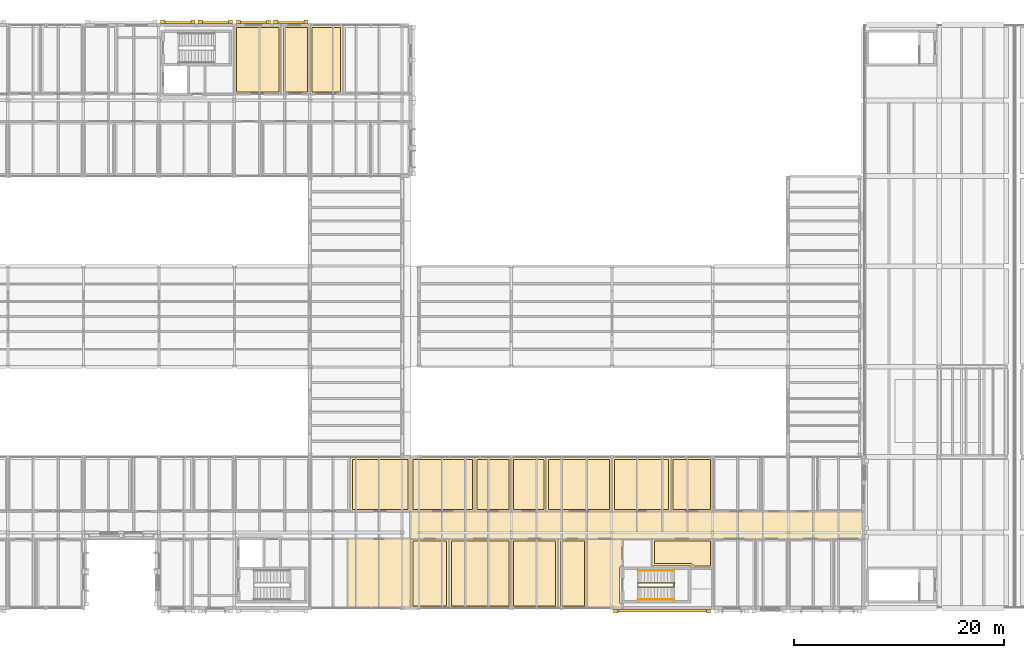
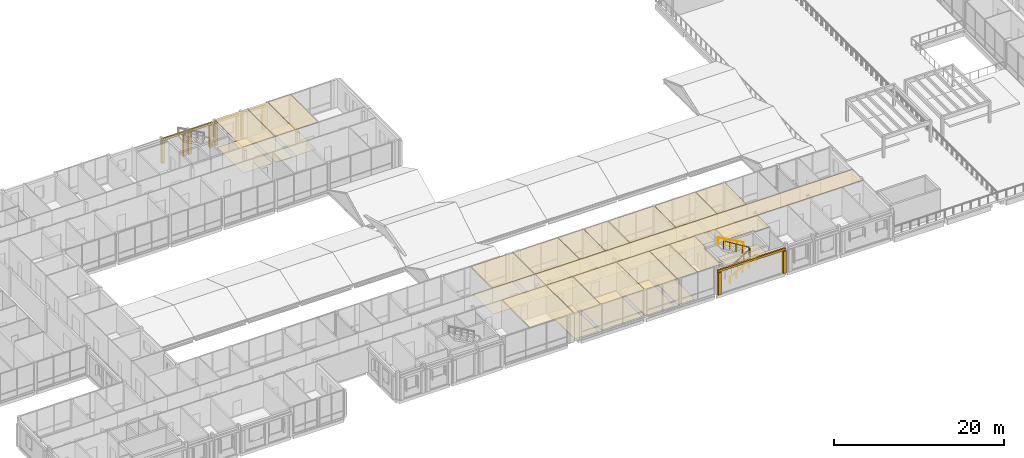
# One storey, part 109 of 115: 48 coverings, 3 railings.
"""IFC4 building model written with IfcOpenShell, lengths in metres."""

from ifc_helpers import new_model, si_unit, direction, frame, origin, origin_2d, place, context, subcontext, project, spatial, polyline, rectangle, circle, outline, extrude, material, layer, layer_set, type_object, element, save


model = new_model("IFC4")

# Units and contexts
model_context = context("Model", 3, precision=1e-05, world=origin(), true_north=direction((0.0, 1.0)))
body_context = subcontext(model_context, "Body", "Model", "MODEL_VIEW")
ifc_project = project(units=[si_unit("LENGTHUNIT", "METRE"), si_unit("AREAUNIT", "SQUARE_METRE"), si_unit("VOLUMEUNIT", "CUBIC_METRE"), si_unit("PLANEANGLEUNIT", "RADIAN"), si_unit("MASSUNIT", "GRAM", prefix="KILO")], contexts=[model_context])

# Site, building, storey
site_placement = place(None, origin())
site = spatial("IfcSite", under=ifc_project, at=site_placement, CompositionType="ELEMENT")
building_placement = place(site_placement, origin())
building = spatial("IfcBuilding", under=site, at=building_placement, Name="Hawrajan Terrace Health Centre", CompositionType="ELEMENT")
storey_placement = place(building_placement, frame((0.0, 0.0, 9.0)))
storey = spatial("IfcBuildingStorey", under=building, at=storey_placement, Name="L02", CompositionType="ELEMENT", Elevation=9.0)

# Coverings
ifc_material_1 = material(Name="Precast concrete C40/50", Category="concrete")
ifc_layer_1 = layer(ifc_material_1, 0.219970703125)
ifc_layer_set_1 = layer_set([ifc_layer_1], Name="Precast concrete C40/50")
covering_type_1 = type_object("IfcCoveringType", Name="ArtDecoCorniceBand", PredefinedType="CLADDING", material=ifc_layer_set_1)
covering_1_placement = place(storey_placement, frame((49.610107421875, 60.044921875, 3.22021484375), z_axis=(0.0, 0.0, 1.0), x_axis=(1.0, 0.0, 0.0)))
element("IfcCovering", 1, at=covering_1_placement, inside=storey, type_object=covering_type_1, Name="Art Deco limestone cornice band CRN-L02-0132", PredefinedType="CLADDING", context=body_context, shape_type="SweptSolid", body=[
    extrude(rectangle(XDim=3.300048828125, YDim=0.219970703125, at=origin_2d()), origin(), (0.0, 0.0, 1.0), 0.300048828125),
])
for number, where, z_axis, x_axis, name in (
    (2, (53.179931640625, 60.044921875, 3.22021484375), (0.0, 0.0, 1.0), (1.0, 0.0, 0.0), "Art Deco limestone cornice band CRN-L02-0133"),
    (3, (56.820068359375, 60.044921875, 3.2099609375), (0.0, 0.0, 1.0), (1.0, 0.0, 0.0), "Art Deco limestone cornice band CRN-L02-0136"),
):
    element("IfcCovering", number, at=place(storey_placement, frame(where, z_axis=z_axis, x_axis=x_axis)), inside=storey, type_object=covering_type_1, Name=name, PredefinedType="CLADDING", context=body_context, shape_type="SweptSolid", body=[
        extrude(rectangle(XDim=3.280029296875, YDim=0.219970703125, at=origin_2d()), origin(), (0.0, 0.0, 1.0), 0.300048828125),
    ])
covering_2_placement = place(storey_placement, frame((60.389892578125, 60.044921875, 3.2099609375), z_axis=(0.0, 0.0, 1.0), x_axis=(1.0, 0.0, 0.0)))
element("IfcCovering", 4, at=covering_2_placement, inside=storey, type_object=covering_type_1, Name="Art Deco limestone cornice band CRN-L02-0137", PredefinedType="CLADDING", context=body_context, shape_type="SweptSolid", body=[
    extrude(rectangle(XDim=3.300048828125, YDim=0.219970703125, at=origin_2d()), origin(), (0.0, 0.0, 1.0), 0.300048828125),
])
covering_3_placement = place(storey_placement, frame((95.7900390625, 3.955078125, 3.22021484375), z_axis=(0.0, 0.0, 1.0), x_axis=(1.0, 0.0, 0.0)))
element("IfcCovering", 5, at=covering_3_placement, inside=storey, type_object=covering_type_1, Name="Art Deco limestone cornice band CRN-L02-0140", PredefinedType="CLADDING", context=body_context, shape_type="SweptSolid", body=[
    extrude(rectangle(XDim=9.260009765625, YDim=0.219970703125, at=origin_2d()), origin(), (0.0, 0.0, 1.0), 0.300048828125),
])
ifc_layer_2 = layer(ifc_material_1, 0.340087890625)
ifc_layer_set_2 = layer_set([ifc_layer_2], Name="Precast concrete C40/50")
covering_type_2 = type_object("IfcCoveringType", Name="ArtDecoStonePilaster", PredefinedType="CLADDING", material=ifc_layer_set_2)
for number, where, z_axis, x_axis, name in (
    (6, (48.159912109375, 60.10498046875, 0.0), (0.0, 0.0, 1.0), (1.0, 0.0, 0.0), "Art Deco fluted limestone pilaster FPIL-L02-0252"),
    (7, (51.06005859375, 60.10498046875, 0.0), (0.0, 0.0, 1.0), (1.0, 0.0, 0.0), "Art Deco fluted limestone pilaster FPIL-L02-0253"),
    (8, (51.739990234375, 60.10498046875, 0.0), (0.0, 0.0, 1.0), (1.0, 0.0, 0.0), "Art Deco fluted limestone pilaster FPIL-L02-0254"),
    (9, (54.6201171875, 60.10498046875, 0.0), (0.0, 0.0, 1.0), (1.0, 0.0, 0.0), "Art Deco fluted limestone pilaster FPIL-L02-0255"),
):
    element("IfcCovering", number, at=place(storey_placement, frame(where, z_axis=z_axis, x_axis=x_axis)), inside=storey, type_object=covering_type_2, Name=name, PredefinedType="CLADDING", context=body_context, shape_type="SweptSolid", body=[
        extrude(rectangle(XDim=0.39990234375, YDim=0.340087890625, at=origin_2d()), origin(), (0.0, 0.0, 1.0), 3.2099609375),
    ])
for number, where, z_axis, x_axis, name in (
    (10, (55.3798828125, 60.10498046875, 0.0), (0.0, 0.0, 1.0), (1.0, 0.0, 0.0), "Art Deco fluted limestone pilaster FPIL-L02-0260"),
    (11, (58.260009765625, 60.10498046875, 0.0), (0.0, 0.0, 1.0), (1.0, 0.0, 0.0), "Art Deco fluted limestone pilaster FPIL-L02-0261"),
    (12, (58.93994140625, 60.10498046875, 0.0), (0.0, 0.0, 1.0), (1.0, 0.0, 0.0), "Art Deco fluted limestone pilaster FPIL-L02-0262"),
    (13, (61.840087890625, 60.10498046875, 0.0), (0.0, 0.0, 1.0), (1.0, 0.0, 0.0), "Art Deco fluted limestone pilaster FPIL-L02-0263"),
):
    element("IfcCovering", number, at=place(storey_placement, frame(where, z_axis=z_axis, x_axis=x_axis)), inside=storey, type_object=covering_type_2, Name=name, PredefinedType="CLADDING", context=body_context, shape_type="SweptSolid", body=[
        extrude(rectangle(XDim=0.39990234375, YDim=0.340087890625, at=origin_2d()), origin(), (0.0, 0.0, 1.0), 3.199951171875),
    ])
for number, where, z_axis, x_axis, name in (
    (14, (91.360107421875, 3.89501953125, 0.0), (0.0, 0.0, 1.0), (1.0, 0.0, 0.0), "Art Deco fluted limestone pilaster FPIL-L02-0270"),
    (15, (100.219970703125, 3.89501953125, 0.0), (0.0, 0.0, 1.0), (1.0, 0.0, 0.0), "Art Deco fluted limestone pilaster FPIL-L02-0271"),
):
    element("IfcCovering", number, at=place(storey_placement, frame(where, z_axis=z_axis, x_axis=x_axis)), inside=storey, type_object=covering_type_2, Name=name, PredefinedType="CLADDING", context=body_context, shape_type="SweptSolid", body=[
        extrude(rectangle(XDim=0.39990234375, YDim=0.340087890625, at=origin_2d()), origin(), (0.0, 0.0, 1.0), 3.2099609375),
    ])
ifc_material_2 = material(Name="Hygienic mineral-fibre acoustic tile ceiling")
ifc_layer_3 = layer(ifc_material_2, 0.02490234375)
ifc_layer_set_3 = layer_set([ifc_layer_3], Name="Hygienic mineral-fibre acoustic tile ceiling")
covering_type_3 = type_object("IfcCoveringType", Name="ClinicalAcousticCeiling_25", PredefinedType="CEILING", material=ifc_layer_set_3)
covering_4_placement = place(storey_placement, frame((0.0, 0.0, 3.93505859375)))
element("IfcCovering", 16, at=covering_4_placement, inside=storey, type_object=covering_type_3, Name="Suspended ceiling L02-028", PredefinedType="CEILING", context=body_context, shape_type="SweptSolid", body=[
    extrude(outline(polyline([(71.824951171875, 13.3798828125), (114.97998046875, 13.3798828125), (114.97998046875, 10.820068359375), (71.824951171875, 10.820068359375), (71.824951171875, 13.3798828125)])), origin(), (0.0, 0.0, 1.0), 0.02490234375),
])
covering_5_placement = place(storey_placement, frame((0.0, 0.0, 3.93505859375)))
element("IfcCovering", 17, at=covering_5_placement, inside=storey, type_object=covering_type_3, Name="Suspended ceiling L02-029", PredefinedType="CEILING", context=body_context, shape_type="SweptSolid", body=[
    extrude(outline(polyline([(91.97998046875, 4.219970703125), (88.6201171875, 4.219970703125), (88.6201171875, 10.780029296875), (91.97998046875, 10.780029296875), (91.97998046875, 8.26904296875), (91.974609375, 8.268798828125), (91.97265625, 8.2685546875), (91.9482421875, 8.264892578125), (91.9462890625, 8.2646484375), (91.922607421875, 8.258544921875), (91.920654296875, 8.258056640625), (91.897705078125, 8.249755859375), (91.895751953125, 8.2490234375), (91.87353515625, 8.238525390625), (91.871826171875, 8.237548828125), (91.850830078125, 8.22509765625), (91.84912109375, 8.223876953125), (91.82958984375, 8.209228515625), (91.827880859375, 8.2080078125), (91.809814453125, 8.191650390625), (91.808349609375, 8.190185546875), (91.7919921875, 8.172119140625), (91.790771484375, 8.17041015625), (91.776123046875, 8.15087890625), (91.77490234375, 8.149169921875), (91.762451171875, 8.128173828125), (91.761474609375, 8.12646484375), (91.7509765625, 8.104248046875), (91.750244140625, 8.102294921875), (91.741943359375, 8.079345703125), (91.741455078125, 8.077392578125), (91.7353515625, 8.0537109375), (91.735107421875, 8.0517578125), (91.7314453125, 8.02734375), (91.731201171875, 8.025390625), (91.72998046875, 8.0009765625), (91.72998046875, 8.0), (91.72998046875, 4.800048828125), (91.72998046875, 4.799072265625), (91.731201171875, 4.7744140625), (91.7314453125, 4.772705078125), (91.735107421875, 4.748291015625), (91.7353515625, 4.746337890625), (91.741455078125, 4.72265625), (91.741943359375, 4.720703125), (91.750244140625, 4.697509765625), (91.7509765625, 4.69580078125), (91.761474609375, 4.673583984375), (91.762451171875, 4.671875), (91.77490234375, 4.65087890625), (91.776123046875, 4.649169921875), (91.790771484375, 4.62939453125), (91.7919921875, 4.6279296875), (91.808349609375, 4.60986328125), (91.809814453125, 4.6083984375), (91.827880859375, 4.591796875), (91.82958984375, 4.5908203125), (91.84912109375, 4.576171875), (91.850830078125, 4.574951171875), (91.871826171875, 4.5625), (91.87353515625, 4.561279296875), (91.895751953125, 4.551025390625), (91.897705078125, 4.55029296875), (91.920654296875, 4.5419921875), (91.922607421875, 4.54150390625), (91.9462890625, 4.535400390625), (91.9482421875, 4.534912109375), (91.97265625, 4.531494140625), (91.974609375, 4.53125), (91.97998046875, 4.531005859375), (91.97998046875, 4.219970703125)])), origin(), (0.0, 0.0, 1.0), 0.02490234375),
])
covering_6_placement = place(storey_placement, frame((0.0, 0.0, 3.93505859375)))
element("IfcCovering", 18, at=covering_6_placement, inside=storey, type_object=covering_type_3, Name="Suspended ceiling L02-043", PredefinedType="CEILING", context=body_context, shape_type="SweptSolid", body=[
    extrude(outline(polyline([(65.820068359375, 10.780029296875), (71.77490234375, 10.780029296875), (71.77490234375, 4.219970703125), (65.820068359375, 4.219970703125), (65.820068359375, 10.780029296875)])), origin(), (0.0, 0.0, 1.0), 0.02490234375),
])
covering_7_placement = place(storey_placement, frame((0.0, 0.0, 3.93505859375)))
element("IfcCovering", 19, at=covering_7_placement, inside=storey, type_object=covering_type_3, Name="Suspended ceiling L02-076", PredefinedType="CEILING", context=body_context, shape_type="SweptSolid", body=[
    extrude(outline(polyline([(55.02001953125, 59.780029296875), (59.436767578125, 59.780029296875), (59.436767578125, 53.219970703125), (55.02001953125, 53.219970703125), (55.02001953125, 59.780029296875)])), origin(), (0.0, 0.0, 1.0), 0.02490234375),
])
covering_8_placement = place(storey_placement, frame((0.0, 0.0, 3.93505859375)))
element("IfcCovering", 20, at=covering_8_placement, inside=storey, type_object=covering_type_3, Name="Suspended ceiling L02-077", PredefinedType="CEILING", context=body_context, shape_type="SweptSolid", body=[
    extrude(outline(polyline([(59.476806640625, 59.780029296875), (62.179931640625, 59.780029296875), (62.179931640625, 53.219970703125), (59.476806640625, 53.219970703125), (59.476806640625, 59.780029296875)])), origin(), (0.0, 0.0, 1.0), 0.02490234375),
])
covering_9_placement = place(storey_placement, frame((0.0, 0.0, 3.93505859375)))
element("IfcCovering", 21, at=covering_9_placement, inside=storey, type_object=covering_type_3, Name="Suspended ceiling L02-080", PredefinedType="CEILING", context=body_context, shape_type="SweptSolid", body=[
    extrude(outline(polyline([(62.219970703125, 59.780029296875), (65.3369140625, 59.780029296875), (65.3369140625, 53.219970703125), (62.219970703125, 53.219970703125), (62.219970703125, 59.780029296875)])), origin(), (0.0, 0.0, 1.0), 0.02490234375),
])
covering_10_placement = place(storey_placement, frame((0.0, 0.0, 3.93505859375)))
element("IfcCovering", 22, at=covering_10_placement, inside=storey, type_object=covering_type_3, Name="Suspended ceiling L02-087", PredefinedType="CEILING", context=body_context, shape_type="SweptSolid", body=[
    extrude(outline(polyline([(66.038818359375, 18.580078125), (71.77490234375, 18.580078125), (71.77490234375, 13.419921875), (66.038818359375, 13.419921875), (66.038818359375, 18.580078125)])), origin(), (0.0, 0.0, 1.0), 0.02490234375),
])
covering_11_placement = place(storey_placement, frame((0.0, 0.0, 3.93505859375)))
element("IfcCovering", 23, at=covering_11_placement, inside=storey, type_object=covering_type_3, Name="Suspended ceiling L02-088", PredefinedType="CEILING", context=body_context, shape_type="SweptSolid", body=[
    extrude(outline(polyline([(71.824951171875, 10.780029296875), (75.440673828125, 10.780029296875), (75.440673828125, 4.219970703125), (71.824951171875, 4.219970703125), (71.824951171875, 10.780029296875)])), origin(), (0.0, 0.0, 1.0), 0.02490234375),
])
covering_12_placement = place(storey_placement, frame((0.0, 0.0, 3.93505859375)))
element("IfcCovering", 24, at=covering_12_placement, inside=storey, type_object=covering_type_3, Name="Suspended ceiling L02-089", PredefinedType="CEILING", context=body_context, shape_type="SweptSolid", body=[
    extrude(outline(polyline([(75.480712890625, 10.780029296875), (81.3798828125, 10.780029296875), (81.3798828125, 4.219970703125), (75.480712890625, 4.219970703125), (75.480712890625, 10.780029296875)])), origin(), (0.0, 0.0, 1.0), 0.02490234375),
])
covering_13_placement = place(storey_placement, frame((0.0, 0.0, 3.93505859375)))
element("IfcCovering", 25, at=covering_13_placement, inside=storey, type_object=covering_type_3, Name="Suspended ceiling L02-090", PredefinedType="CEILING", context=body_context, shape_type="SweptSolid", body=[
    extrude(outline(polyline([(71.824951171875, 18.580078125), (77.887451171875, 18.580078125), (77.887451171875, 13.419921875), (71.824951171875, 13.419921875), (71.824951171875, 18.580078125)])), origin(), (0.0, 0.0, 1.0), 0.02490234375),
])
covering_14_placement = place(storey_placement, frame((0.0, 0.0, 3.93505859375)))
element("IfcCovering", 26, at=covering_14_placement, inside=storey, type_object=covering_type_3, Name="Suspended ceiling L02-091", PredefinedType="CEILING", context=body_context, shape_type="SweptSolid", body=[
    extrude(outline(polyline([(77.927490234375, 18.580078125), (81.3798828125, 18.580078125), (81.3798828125, 13.419921875), (77.927490234375, 13.419921875), (77.927490234375, 18.580078125)])), origin(), (0.0, 0.0, 1.0), 0.02490234375),
])
covering_15_placement = place(storey_placement, frame((0.0, 0.0, 3.93505859375)))
element("IfcCovering", 27, at=covering_15_placement, inside=storey, type_object=covering_type_3, Name="Suspended ceiling L02-092", PredefinedType="CEILING", context=body_context, shape_type="SweptSolid", body=[
    extrude(outline(polyline([(81.419921875, 10.780029296875), (85.8369140625, 10.780029296875), (85.8369140625, 4.219970703125), (81.419921875, 4.219970703125), (81.419921875, 10.780029296875)])), origin(), (0.0, 0.0, 1.0), 0.02490234375),
])
covering_16_placement = place(storey_placement, frame((0.0, 0.0, 3.93505859375)))
element("IfcCovering", 28, at=covering_16_placement, inside=storey, type_object=covering_type_3, Name="Suspended ceiling L02-093", PredefinedType="CEILING", context=body_context, shape_type="SweptSolid", body=[
    extrude(outline(polyline([(85.876708984375, 10.780029296875), (88.580078125, 10.780029296875), (88.580078125, 4.219970703125), (85.876708984375, 4.219970703125), (85.876708984375, 10.780029296875)])), origin(), (0.0, 0.0, 1.0), 0.02490234375),
])
covering_17_placement = place(storey_placement, frame((0.0, 0.0, 3.93505859375)))
element("IfcCovering", 29, at=covering_17_placement, inside=storey, type_object=covering_type_3, Name="Suspended ceiling L02-094", PredefinedType="CEILING", context=body_context, shape_type="SweptSolid", body=[
    extrude(outline(polyline([(81.419921875, 18.580078125), (84.711181640625, 18.580078125), (84.711181640625, 13.419921875), (81.419921875, 13.419921875), (81.419921875, 18.580078125)])), origin(), (0.0, 0.0, 1.0), 0.02490234375),
])
covering_18_placement = place(storey_placement, frame((0.0, 0.0, 3.93505859375)))
element("IfcCovering", 30, at=covering_18_placement, inside=storey, type_object=covering_type_3, Name="Suspended ceiling L02-095", PredefinedType="CEILING", context=body_context, shape_type="SweptSolid", body=[
    extrude(outline(polyline([(84.751220703125, 18.580078125), (90.97998046875, 18.580078125), (90.97998046875, 13.419921875), (84.751220703125, 13.419921875), (84.751220703125, 18.580078125)])), origin(), (0.0, 0.0, 1.0), 0.02490234375),
])
covering_19_placement = place(storey_placement, frame((0.0, 0.0, 3.93505859375)))
element("IfcCovering", 31, at=covering_19_placement, inside=storey, type_object=covering_type_3, Name="Suspended ceiling L02-097", PredefinedType="CEILING", context=body_context, shape_type="SweptSolid", body=[
    extrude(outline(polyline([(94.849365234375, 10.780029296875), (100.580078125, 10.780029296875), (100.580078125, 8.02001953125), (98.6689453125, 8.02001953125), (98.668701171875, 8.025390625), (98.668701171875, 8.02734375), (98.6650390625, 8.0517578125), (98.66455078125, 8.0537109375), (98.65869140625, 8.077392578125), (98.658203125, 8.079345703125), (98.64990234375, 8.102294921875), (98.64892578125, 8.104248046875), (98.638671875, 8.12646484375), (98.6376953125, 8.128173828125), (98.625, 8.149169921875), (98.623779296875, 8.15087890625), (98.609375, 8.17041015625), (98.608154296875, 8.172119140625), (98.591552734375, 8.190185546875), (98.590087890625, 8.191650390625), (98.572021484375, 8.2080078125), (98.570556640625, 8.209228515625), (98.55078125, 8.223876953125), (98.54931640625, 8.22509765625), (98.528076171875, 8.237548828125), (98.5263671875, 8.238525390625), (98.504150390625, 8.2490234375), (98.50244140625, 8.249755859375), (98.479248046875, 8.258056640625), (98.477294921875, 8.258544921875), (98.45361328125, 8.2646484375), (98.45166015625, 8.264892578125), (98.427490234375, 8.2685546875), (98.425537109375, 8.268798828125), (98.40087890625, 8.27001953125), (98.39990234375, 8.27001953125), (94.849365234375, 8.27001953125), (94.849365234375, 10.780029296875)])), origin(), (0.0, 0.0, 1.0), 0.02490234375),
])
covering_20_placement = place(storey_placement, frame((0.0, 0.0, 3.93505859375)))
element("IfcCovering", 32, at=covering_20_placement, inside=storey, type_object=covering_type_3, Name="Suspended ceiling L02-098", PredefinedType="CEILING", context=body_context, shape_type="SweptSolid", body=[
    extrude(outline(polyline([(91.02001953125, 18.580078125), (96.595947265625, 18.580078125), (96.595947265625, 13.419921875), (91.02001953125, 13.419921875), (91.02001953125, 18.580078125)])), origin(), (0.0, 0.0, 1.0), 0.02490234375),
])
covering_21_placement = place(storey_placement, frame((0.0, 0.0, 3.93505859375)))
element("IfcCovering", 33, at=covering_21_placement, inside=storey, type_object=covering_type_3, Name="Suspended ceiling L02-099", PredefinedType="CEILING", context=body_context, shape_type="SweptSolid", body=[
    extrude(outline(polyline([(96.635986328125, 18.580078125), (100.580078125, 18.580078125), (100.580078125, 13.419921875), (96.635986328125, 13.419921875), (96.635986328125, 18.580078125)])), origin(), (0.0, 0.0, 1.0), 0.02490234375),
])
ifc_material_3 = material(Name="Seamless medical-grade cushioned vinyl flooring")
ifc_layer_4 = layer(ifc_material_3, 0.011962890625)
ifc_layer_set_4 = layer_set([ifc_layer_4], Name="Seamless medical-grade cushioned vinyl flooring")
covering_type_4 = type_object("IfcCoveringType", Name="ClinicalVinylFlooring_12", PredefinedType="FLOORING", material=ifc_layer_set_4)
covering_22_placement = place(storey_placement, origin())
element("IfcCovering", 34, at=covering_22_placement, inside=storey, type_object=covering_type_4, Name="Floor finish L02-076", PredefinedType="FLOORING", context=body_context, shape_type="SweptSolid", body=[
    extrude(outline(polyline([(55.219970703125, 59.580078125), (59.23681640625, 59.580078125), (59.23681640625, 53.419921875), (55.219970703125, 53.419921875), (55.219970703125, 59.580078125)])), origin(), (0.0, 0.0, 1.0), 0.011962890625),
])
covering_23_placement = place(storey_placement, origin())
element("IfcCovering", 35, at=covering_23_placement, inside=storey, type_object=covering_type_4, Name="Floor finish L02-077", PredefinedType="FLOORING", context=body_context, shape_type="SweptSolid", body=[
    extrude(outline(polyline([(59.6767578125, 59.580078125), (61.97998046875, 59.580078125), (61.97998046875, 53.419921875), (59.6767578125, 53.419921875), (59.6767578125, 59.580078125)])), origin(), (0.0, 0.0, 1.0), 0.011962890625),
])
covering_24_placement = place(storey_placement, origin())
element("IfcCovering", 36, at=covering_24_placement, inside=storey, type_object=covering_type_4, Name="Floor finish L02-080", PredefinedType="FLOORING", context=body_context, shape_type="SweptSolid", body=[
    extrude(outline(polyline([(62.419921875, 59.580078125), (65.13671875, 59.580078125), (65.13671875, 53.419921875), (62.419921875, 53.419921875), (62.419921875, 59.580078125)])), origin(), (0.0, 0.0, 1.0), 0.011962890625),
])
covering_25_placement = place(storey_placement, origin())
element("IfcCovering", 37, at=covering_25_placement, inside=storey, type_object=covering_type_4, Name="Floor finish L02-087", PredefinedType="FLOORING", context=body_context, shape_type="SweptSolid", body=[
    extrude(outline(polyline([(66.23876953125, 18.3798828125), (71.574951171875, 18.3798828125), (71.574951171875, 13.6201171875), (66.23876953125, 13.6201171875), (66.23876953125, 18.3798828125)])), origin(), (0.0, 0.0, 1.0), 0.011962890625),
])
covering_26_placement = place(storey_placement, origin())
element("IfcCovering", 38, at=covering_26_placement, inside=storey, type_object=covering_type_4, Name="Floor finish L02-088", PredefinedType="FLOORING", context=body_context, shape_type="SweptSolid", body=[
    extrude(outline(polyline([(72.02490234375, 10.580078125), (75.24072265625, 10.580078125), (75.24072265625, 4.419921875), (72.02490234375, 4.419921875), (72.02490234375, 10.580078125)])), origin(), (0.0, 0.0, 1.0), 0.011962890625),
])
covering_27_placement = place(storey_placement, origin())
element("IfcCovering", 39, at=covering_27_placement, inside=storey, type_object=covering_type_4, Name="Floor finish L02-089", PredefinedType="FLOORING", context=body_context, shape_type="SweptSolid", body=[
    extrude(outline(polyline([(75.6806640625, 10.580078125), (81.179931640625, 10.580078125), (81.179931640625, 4.419921875), (75.6806640625, 4.419921875), (75.6806640625, 10.580078125)])), origin(), (0.0, 0.0, 1.0), 0.011962890625),
])
covering_28_placement = place(storey_placement, origin())
element("IfcCovering", 40, at=covering_28_placement, inside=storey, type_object=covering_type_4, Name="Floor finish L02-090", PredefinedType="FLOORING", context=body_context, shape_type="SweptSolid", body=[
    extrude(outline(polyline([(72.02490234375, 18.3798828125), (77.6875, 18.3798828125), (77.6875, 13.6201171875), (72.02490234375, 13.6201171875), (72.02490234375, 18.3798828125)])), origin(), (0.0, 0.0, 1.0), 0.011962890625),
])
covering_29_placement = place(storey_placement, origin())
element("IfcCovering", 41, at=covering_29_placement, inside=storey, type_object=covering_type_4, Name="Floor finish L02-091", PredefinedType="FLOORING", context=body_context, shape_type="SweptSolid", body=[
    extrude(outline(polyline([(78.12744140625, 18.3798828125), (81.179931640625, 18.3798828125), (81.179931640625, 13.6201171875), (78.12744140625, 13.6201171875), (78.12744140625, 18.3798828125)])), origin(), (0.0, 0.0, 1.0), 0.011962890625),
])
covering_30_placement = place(storey_placement, origin())
element("IfcCovering", 42, at=covering_30_placement, inside=storey, type_object=covering_type_4, Name="Floor finish L02-092", PredefinedType="FLOORING", context=body_context, shape_type="SweptSolid", body=[
    extrude(outline(polyline([(81.6201171875, 10.580078125), (85.63671875, 10.580078125), (85.63671875, 4.419921875), (81.6201171875, 4.419921875), (81.6201171875, 10.580078125)])), origin(), (0.0, 0.0, 1.0), 0.011962890625),
])
covering_31_placement = place(storey_placement, origin())
element("IfcCovering", 43, at=covering_31_placement, inside=storey, type_object=covering_type_4, Name="Floor finish L02-093", PredefinedType="FLOORING", context=body_context, shape_type="SweptSolid", body=[
    extrude(outline(polyline([(86.076904296875, 10.580078125), (88.3798828125, 10.580078125), (88.3798828125, 4.419921875), (86.076904296875, 4.419921875), (86.076904296875, 10.580078125)])), origin(), (0.0, 0.0, 1.0), 0.011962890625),
])
covering_32_placement = place(storey_placement, origin())
element("IfcCovering", 44, at=covering_32_placement, inside=storey, type_object=covering_type_4, Name="Floor finish L02-094", PredefinedType="FLOORING", context=body_context, shape_type="SweptSolid", body=[
    extrude(outline(polyline([(81.6201171875, 18.3798828125), (84.51123046875, 18.3798828125), (84.51123046875, 13.6201171875), (81.6201171875, 13.6201171875), (81.6201171875, 18.3798828125)])), origin(), (0.0, 0.0, 1.0), 0.011962890625),
])
covering_33_placement = place(storey_placement, origin())
element("IfcCovering", 45, at=covering_33_placement, inside=storey, type_object=covering_type_4, Name="Floor finish L02-095", PredefinedType="FLOORING", context=body_context, shape_type="SweptSolid", body=[
    extrude(outline(polyline([(84.951171875, 18.3798828125), (90.780029296875, 18.3798828125), (90.780029296875, 13.6201171875), (84.951171875, 13.6201171875), (84.951171875, 18.3798828125)])), origin(), (0.0, 0.0, 1.0), 0.011962890625),
])
covering_34_placement = place(storey_placement, origin())
element("IfcCovering", 46, at=covering_34_placement, inside=storey, type_object=covering_type_4, Name="Floor finish L02-097", PredefinedType="FLOORING", context=body_context, shape_type="SweptSolid", body=[
    extrude(outline(polyline([(95.04931640625, 10.580078125), (100.3798828125, 10.580078125), (100.3798828125, 8.219970703125), (98.815185546875, 8.219970703125), (98.81494140625, 8.220703125), (98.81396484375, 8.222412109375), (98.80908203125, 8.23095703125), (98.796630859375, 8.251953125), (98.791259765625, 8.26025390625), (98.790283203125, 8.261962890625), (98.78466796875, 8.27001953125), (98.77001953125, 8.289794921875), (98.763916015625, 8.29736328125), (98.7626953125, 8.298828125), (98.75634765625, 8.306396484375), (98.73974609375, 8.324462890625), (98.73291015625, 8.33154296875), (98.731689453125, 8.3330078125), (98.724609375, 8.33984375), (98.706298828125, 8.356201171875), (98.698974609375, 8.36279296875), (98.697509765625, 8.364013671875), (98.689697265625, 8.3701171875), (98.669921875, 8.384521484375), (98.661865234375, 8.39013671875), (98.660400390625, 8.391357421875), (98.652099609375, 8.396484375), (98.631103515625, 8.4091796875), (98.622314453125, 8.4140625), (98.62060546875, 8.414794921875), (98.61181640625, 8.41943359375), (98.589599609375, 8.4296875), (98.580810546875, 8.433837890625), (98.578857421875, 8.4345703125), (98.56982421875, 8.43798828125), (98.546630859375, 8.4462890625), (98.537353515625, 8.449462890625), (98.535400390625, 8.449951171875), (98.52587890625, 8.45263671875), (98.502197265625, 8.45849609375), (98.49267578125, 8.460693359375), (98.49072265625, 8.461181640625), (98.481201171875, 8.462890625), (98.456787109375, 8.46630859375), (98.447021484375, 8.467529296875), (98.445068359375, 8.4677734375), (98.435302734375, 8.468505859375), (98.410888671875, 8.4697265625), (98.406005859375, 8.469970703125), (98.40478515625, 8.469970703125), (98.39990234375, 8.469970703125), (95.04931640625, 8.469970703125), (95.04931640625, 10.580078125)])), origin(), (0.0, 0.0, 1.0), 0.011962890625),
])
covering_35_placement = place(storey_placement, origin())
element("IfcCovering", 47, at=covering_35_placement, inside=storey, type_object=covering_type_4, Name="Floor finish L02-098", PredefinedType="FLOORING", context=body_context, shape_type="SweptSolid", body=[
    extrude(outline(polyline([(91.219970703125, 18.3798828125), (96.39599609375, 18.3798828125), (96.39599609375, 13.6201171875), (91.219970703125, 13.6201171875), (91.219970703125, 18.3798828125)])), origin(), (0.0, 0.0, 1.0), 0.011962890625),
])
covering_36_placement = place(storey_placement, origin())
element("IfcCovering", 48, at=covering_36_placement, inside=storey, type_object=covering_type_4, Name="Floor finish L02-099", PredefinedType="FLOORING", context=body_context, shape_type="SweptSolid", body=[
    extrude(outline(polyline([(96.8359375, 18.3798828125), (100.3798828125, 18.3798828125), (100.3798828125, 13.6201171875), (96.8359375, 13.6201171875), (96.8359375, 18.3798828125)])), origin(), (0.0, 0.0, 1.0), 0.011962890625),
])

# Railings
ifc_material_4 = material(Name="Brushed stainless steel tubular handrail", Category="steel")
railing_type_1 = type_object("IfcRailingType", Name="StairHandrail_900", PredefinedType="HANDRAIL", material=ifc_material_4)
railing_1_placement = place(storey_placement, frame((93.47509765625, 5.0, 0.175048828125)))
element("IfcRailing", 49, at=railing_1_placement, inside=storey, type_object=railing_type_1, Name="Stair handrail ST-5-L02-H1", PredefinedType="HANDRAIL", context=body_context, shape_type="SweptSolid", body=[
    extrude(circle(Radius=0.02392578125, at=origin_2d()), frame((0.025146484375, 0.0, 0.889892578125), z_axis=(0.873252128816, 0.0, 0.487268631782), x_axis=(0.0, 1.0, 0.0)), (0.0, 0.0, 1.0), 3.89306640625),
    extrude(circle(Radius=0.02099609375, at=origin_2d()), origin(), (0.0, 0.0, 1.0), 0.846923828125),
    extrude(circle(Radius=0.02099609375, at=origin_2d()), frame((0.862548828125, 0.0, 0.481201171875)), (0.0, 0.0, 1.0), 0.846923828125),
    extrude(circle(Radius=0.02099609375, at=origin_2d()), frame((1.72509765625, 0.0, 0.96240234375)), (0.0, 0.0, 1.0), 0.846923828125),
    extrude(circle(Radius=0.02099609375, at=origin_2d()), frame((2.58740234375, 0.0, 1.44384765625)), (0.0, 0.0, 1.0), 0.846923828125),
    extrude(circle(Radius=0.02099609375, at=origin_2d()), frame((3.449951171875, 0.0, 1.925048828125)), (0.0, 0.0, 1.0), 0.846923828125),
])
railing_2_placement = place(storey_placement, frame((96.925048828125, 7.800048828125, 2.27490234375)))
element("IfcRailing", 50, at=railing_2_placement, inside=storey, type_object=railing_type_1, Name="Stair handrail ST-5-L02-H2", PredefinedType="HANDRAIL", context=body_context, shape_type="SweptSolid", body=[
    extrude(circle(Radius=0.02392578125, at=origin_2d()), frame((-0.025146484375, 0.0, 0.889892578125), z_axis=(-0.873252128816, 0.0, 0.487268631782), x_axis=(0.0, -1.0, 0.0)), (0.0, 0.0, 1.0), 3.89306640625),
    extrude(circle(Radius=0.02099609375, at=origin_2d()), origin(), (0.0, 0.0, 1.0), 0.846923828125),
    extrude(circle(Radius=0.02099609375, at=origin_2d()), frame((-0.862548828125, 0.0, 0.481201171875)), (0.0, 0.0, 1.0), 0.846923828125),
    extrude(circle(Radius=0.02099609375, at=origin_2d()), frame((-1.72509765625, 0.0, 0.96240234375)), (0.0, 0.0, 1.0), 0.846923828125),
    extrude(circle(Radius=0.02099609375, at=origin_2d()), frame((-2.58740234375, 0.0, 1.44384765625)), (0.0, 0.0, 1.0), 0.846923828125),
    extrude(circle(Radius=0.02099609375, at=origin_2d()), frame((-3.449951171875, 0.0, 1.925048828125)), (0.0, 0.0, 1.0), 0.846923828125),
])
ifc_material_5 = material(Name="Painted steel stair well guard", Category="steel")
railing_type_2 = type_object("IfcRailingType", Name="StairWellGuard_1120", PredefinedType="GUARDRAIL", material=ifc_material_5)
railing_3_placement = place(storey_placement, frame((93.5, 6.219970703125, 0.0)))
element("IfcRailing", 51, at=railing_3_placement, inside=storey, type_object=railing_type_2, Name="Stair well guard ST-5-L02-G1", PredefinedType="GUARDRAIL", context=body_context, shape_type="SweptSolid", body=[
    extrude(circle(Radius=0.02392578125, at=origin_2d()), frame((0.024658203125, 0.0, 1.111328125), z_axis=(0.850780323153, 0.0, 0.525521495028), x_axis=(0.0, 1.0, 0.0)), (0.0, 0.0, 1.0), 3.9384765625),
    extrude(circle(Radius=0.02392578125, at=origin_2d()), frame((3.40380859375, 0.028564453125, 3.1962890625), z_axis=(0.137659871128, 0.990479560557, 0.0), x_axis=(-0.990479560557, 0.137659871128, 0.0)), (0.0, 0.0, 1.0), 0.305908203125),
    extrude(circle(Radius=0.02392578125, at=origin_2d()), frame((3.42529296875, 0.360107421875, 3.211181640625), z_axis=(-0.854211395654, 0.0, 0.519925851958), x_axis=(0.0, -1.0, 0.0)), (0.0, 0.0, 1.0), 3.98095703125),
    extrude(circle(Radius=0.02099609375, at=origin_2d()), origin(), (0.0, 0.0, 1.0), 1.067138671875),
    extrude(circle(Radius=0.02099609375, at=origin_2d()), frame((0.85009765625, 0.0, 0.52490234375)), (0.0, 0.0, 1.0), 1.067138671875),
    extrude(circle(Radius=0.02099609375, at=origin_2d()), frame((1.699951171875, 0.0, 1.050048828125)), (0.0, 0.0, 1.0), 1.067138671875),
    extrude(circle(Radius=0.02099609375, at=origin_2d()), frame((2.5498046875, 0.0, 1.5751953125)), (0.0, 0.0, 1.0), 1.067138671875),
    extrude(circle(Radius=0.02099609375, at=origin_2d()), frame((3.39990234375, 0.0, 2.10009765625)), (0.0, 0.0, 1.0), 1.067138671875),
    extrude(circle(Radius=0.02099609375, at=origin_2d()), frame((3.449951171875, 0.360107421875, 2.10009765625)), (0.0, 0.0, 1.0), 1.067138671875),
    extrude(circle(Radius=0.02099609375, at=origin_2d()), frame((2.58740234375, 0.360107421875, 2.625)), (0.0, 0.0, 1.0), 1.067138671875),
    extrude(circle(Radius=0.02099609375, at=origin_2d()), frame((1.72509765625, 0.360107421875, 3.14990234375)), (0.0, 0.0, 1.0), 1.067138671875),
    extrude(circle(Radius=0.02099609375, at=origin_2d()), frame((0.862548828125, 0.360107421875, 3.675048828125)), (0.0, 0.0, 1.0), 1.067138671875),
    extrude(circle(Radius=0.02099609375, at=origin_2d()), frame((0.0, 0.360107421875, 4.199951171875)), (0.0, 0.0, 1.0), 1.067138671875),
])

save(model, "model.ifc")
